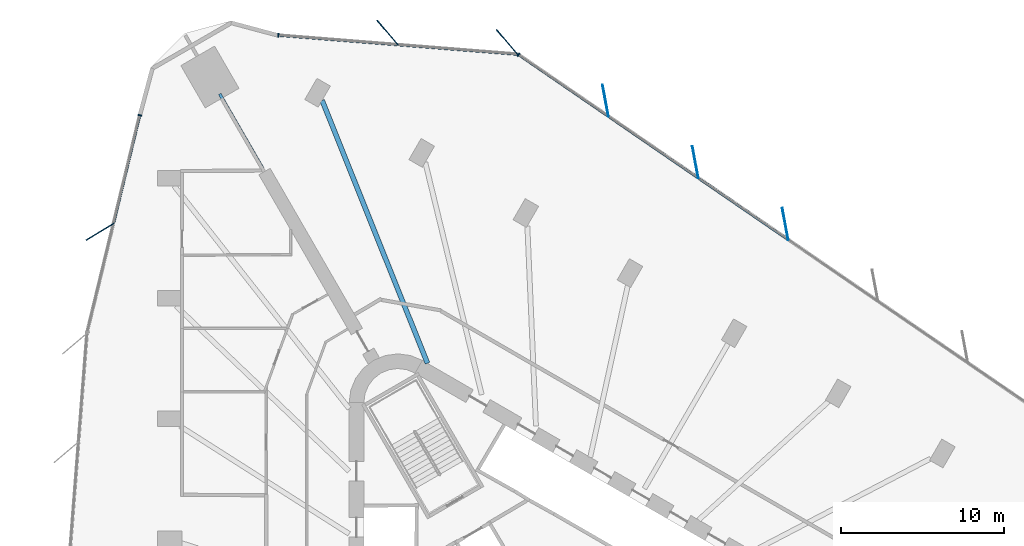
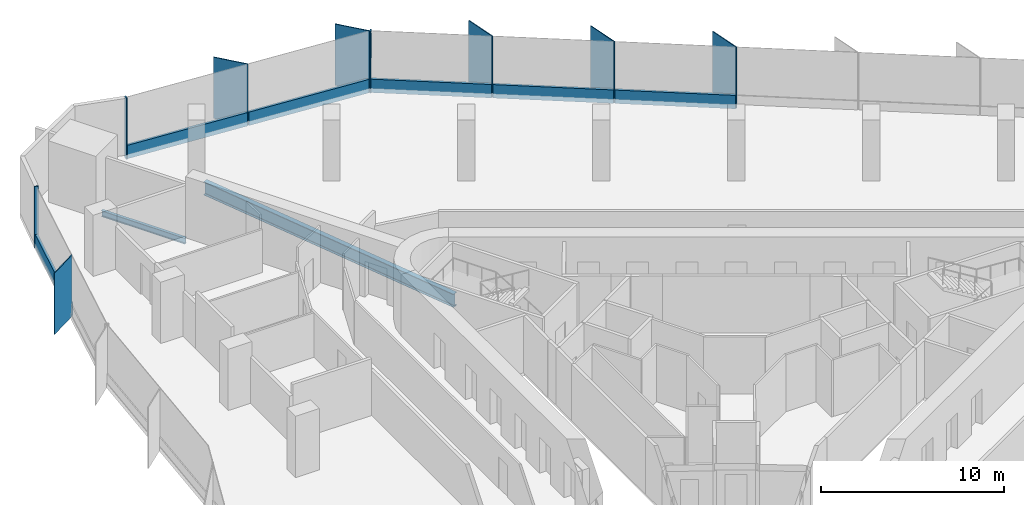
# One storey, part 7 of 14: 15 members, 2 beams, 3 elements without a shape of their own.
"""IFC4 building model written with IfcOpenShell, lengths in metres."""

from ifc_helpers import new_model, si_unit, direction, frame, origin, origin_2d, place, context, subcontext, project, spatial, rectangle, i_section, extrude, material, material_profile, profile_set, type_object, element, aggregate, save


model = new_model("IFC4")

# Units and contexts
model_context = context("Model", 3, precision=1e-05, world=origin(), true_north=direction((0.0, 1.0)))
body_context = subcontext(model_context, "Body", "Model", "MODEL_VIEW")
ifc_project = project(units=[si_unit("LENGTHUNIT", "METRE"), si_unit("AREAUNIT", "SQUARE_METRE"), si_unit("VOLUMEUNIT", "CUBIC_METRE"), si_unit("PLANEANGLEUNIT", "RADIAN"), si_unit("MASSUNIT", "GRAM", prefix="KILO")], contexts=[model_context])

# Site, building, storey
site_placement = place(None, origin())
site = spatial("IfcSite", under=ifc_project, at=site_placement, CompositionType="ELEMENT")
building_placement = place(site_placement, origin())
building = spatial("IfcBuilding", under=site, at=building_placement, Name="Tanit Gate Tower", CompositionType="ELEMENT")
storey_placement = place(building_placement, frame((0.0, 0.0, 82.39990234375)))
storey = spatial("IfcBuildingStorey", under=building, at=storey_placement, Name="L16", CompositionType="ELEMENT", Elevation=82.39990234375)

# Curtain wall, members
ifc_material_1 = material(Name="Aluminium bronze anodised and glass", Category="aluminium")
curtain_wall_type = type_object("IfcCurtainWallType", Name="Curtain wall typical low", PredefinedType="NOTDEFINED", material=ifc_material_1)
curtain_wall_1_placement = place(storey_placement, origin())
curtain_wall_1 = element("IfcCurtainWall", 1, at=curtain_wall_1_placement, inside=storey, type_object=curtain_wall_type, Name="Curtain wall L16 NE2", PredefinedType="NOTDEFINED")
ifc_material_2 = material(Name="Aluminium bronze anodised", Category="aluminium")
ifc_material_profile_1 = material_profile(ifc_material_2, rectangle(XDim=2.0, YDim=0.055908203125, at=origin_2d()), Name="56x2000 bronze fin mullion")
ifc_profile_set_1 = profile_set([ifc_material_profile_1], Name="Aluminium bronze anodised")
member_type_1 = type_object("IfcMemberType", Name="FIN MULLION 56x2000 bronze", PredefinedType="MULLION", material=ifc_profile_set_1)
member_1_placement = place(storey_placement, frame((14.70849609375, 26.742919921875, -0.2998046875), z_axis=(0.0, 0.0, 1.0), x_axis=(0.182983013261, -0.983116074967, 0.0)))
member_1 = element("IfcMember", 2, at=member_1_placement, type_object=member_type_1, Name="Fin mullion L16 NE2.4", PredefinedType="MULLION", context=body_context, shape_type="SweptSolid", body=[
    extrude(rectangle(XDim=2.0, YDim=0.055908203125, at=origin_2d()), origin(), (0.0, 0.0, 1.0), 4.099853515625),
])
member_2_placement = place(storey_placement, frame((9.183837890625, 30.53369140625, -0.2998046875), z_axis=(0.0, 0.0, 1.0), x_axis=(0.182983013261, -0.983116074967, 0.0)))
member_2 = element("IfcMember", 3, at=member_2_placement, type_object=member_type_1, Name="Fin mullion L16 NE2.5", PredefinedType="MULLION", context=body_context, shape_type="SweptSolid", body=[
    extrude(rectangle(XDim=2.0, YDim=0.055908203125, at=origin_2d()), origin(), (0.0, 0.0, 1.0), 4.099853515625),
])
member_3_placement = place(storey_placement, frame((3.6591796875, 34.324462890625, -0.2998046875), z_axis=(0.0, 0.0, 1.0), x_axis=(0.182983013261, -0.983116074967, 0.0)))
member_3 = element("IfcMember", 4, at=member_3_placement, type_object=member_type_1, Name="Fin mullion L16 NE2.6", PredefinedType="MULLION", context=body_context, shape_type="SweptSolid", body=[
    extrude(rectangle(XDim=2.0, YDim=0.055908203125, at=origin_2d()), origin(), (0.0, 0.0, 1.0), 4.099853515625),
])

curtain_wall_2_placement = place(storey_placement, origin())
curtain_wall_2 = element("IfcCurtainWall", 5, at=curtain_wall_2_placement, inside=storey, type_object=curtain_wall_type, Name="Curtain wall L16 NE3", PredefinedType="NOTDEFINED")
member_4_placement = place(storey_placement, frame((-2.393798828125, 37.923828125, -0.2998046875), z_axis=(0.0, 0.0, 1.0), x_axis=(0.649001123073, -0.760787448799, 0.0)))
member_4 = element("IfcMember", 6, at=member_4_placement, type_object=member_type_1, Name="Fin mullion L16 NE3.1", PredefinedType="MULLION", context=body_context, shape_type="SweptSolid", body=[
    extrude(rectangle(XDim=2.0, YDim=0.055908203125, at=origin_2d()), origin(), (0.0, 0.0, 1.0), 4.099853515625),
])
member_5_placement = place(storey_placement, frame((-9.7412109375, 38.506591796875, -0.2998046875), z_axis=(0.0, 0.0, 1.0), x_axis=(0.649001123073, -0.760787448799, 0.0)))
member_5 = element("IfcMember", 7, at=member_5_placement, type_object=member_type_1, Name="Fin mullion L16 NE3.2", PredefinedType="MULLION", context=body_context, shape_type="SweptSolid", body=[
    extrude(rectangle(XDim=2.0, YDim=0.055908203125, at=origin_2d()), origin(), (0.0, 0.0, 1.0), 4.099853515625),
])

# Curtain wall, member
curtain_wall_3_placement = place(storey_placement, origin())
curtain_wall_3 = element("IfcCurtainWall", 8, at=curtain_wall_3_placement, inside=storey, type_object=curtain_wall_type, Name="Curtain wall L16 W1", PredefinedType="NOTDEFINED")
member_6_placement = place(storey_placement, frame((-27.418212890625, 26.267333984375, -0.2998046875), z_axis=(0.0, 0.0, 1.0), x_axis=(0.853805958706, 0.520591379951, 0.0)))
member_6 = element("IfcMember", 9, at=member_6_placement, type_object=member_type_1, Name="Fin mullion L16 W1.2", PredefinedType="MULLION", context=body_context, shape_type="SweptSolid", body=[
    extrude(rectangle(XDim=2.0, YDim=0.055908203125, at=origin_2d()), origin(), (0.0, 0.0, 1.0), 4.099853515625),
])

# Member
ifc_material_3 = material(Name="Aluminium bronze anodised", Category="aluminium")
ifc_material_profile_2 = material_profile(ifc_material_3, rectangle(XDim=0.239990234375, YDim=0.080078125, at=origin_2d()), Name="80x240 bronze mullion")
ifc_profile_set_2 = profile_set([ifc_material_profile_2], Name="Aluminium bronze anodised")
member_type_2 = type_object("IfcMemberType", Name="Mullion 80x240 typical low", PredefinedType="MULLION", material=ifc_profile_set_2)
member_7_placement = place(storey_placement, frame((-1.6865234375, 37.154541015625, -0.2998046875), z_axis=(0.0, 0.0, 1.0), x_axis=(-0.565779513784, -0.824556572821, 0.0)))
member_7 = element("IfcMember", 10, at=member_7_placement, type_object=member_type_2, Name="Mullion L16 NE2.7", PredefinedType="MULLION", context=body_context, shape_type="SweptSolid", body=[
    extrude(rectangle(XDim=0.239990234375, YDim=0.080078125, at=origin_2d()), origin(), (0.0, 0.0, 1.0), 4.099853515625),
])

member_8_placement = place(storey_placement, frame((-16.45458984375, 38.345458984375, -0.2998046875), z_axis=(0.0, 0.0, 1.0), x_axis=(-0.079044868964, -0.99687105921, 0.0)))
member_8 = element("IfcMember", 11, at=member_8_placement, type_object=member_type_2, Name="Mullion L16 NE3.3", PredefinedType="MULLION", context=body_context, shape_type="SweptSolid", body=[
    extrude(rectangle(XDim=0.239990234375, YDim=0.080078125, at=origin_2d()), origin(), (0.0, 0.0, 1.0), 4.099853515625),
])

member_9_placement = place(storey_placement, frame((-24.969970703125, 33.43212890625, -0.2998046875), z_axis=(0.0, 0.0, 1.0), x_axis=(0.971845678209, -0.235618288228, 0.0)))
member_9 = element("IfcMember", 12, at=member_9_placement, type_object=member_type_2, Name="Mullion L16 W1.1", PredefinedType="MULLION", context=body_context, shape_type="SweptSolid", body=[
    extrude(rectangle(XDim=0.239990234375, YDim=0.080078125, at=origin_2d()), origin(), (0.0, 0.0, 1.0), 4.099853515625),
])

# Beams
ifc_material_4 = material(Name="Steel S355", Category="steel")
ifc_material_profile_3 = material_profile(ifc_material_4, i_section(OverallWidth=0.300048828125, OverallDepth=0.889892578125, WebThickness=0.01611328125, FlangeThickness=0.030029296875, FilletRadius=0.030029296875, at=origin_2d()), Name="HEA 900")
ifc_profile_set_3 = profile_set([ifc_material_profile_3], Name="Steel S355")
beam_type_1 = type_object("IfcBeamType", Name="RADIAL GIRDER HEA 900 S355", PredefinedType="BEAM", material=ifc_profile_set_3)
beam_1_placement = place(storey_placement, frame((-13.76220703125, 34.3447265625, -0.744873046875), z_axis=(0.371958649454, -0.928249300078, 0.0), x_axis=(0.928249300078, 0.371958649454, 0.0)))
element("IfcBeam", 13, at=beam_1_placement, inside=storey, type_object=beam_type_1, Name="RADIAL GIRDER", PredefinedType="BEAM", context=body_context, shape_type="SweptSolid", body=[
    extrude(i_section(OverallWidth=0.300048828125, OverallDepth=0.889892578125, WebThickness=0.01611328125, FlangeThickness=0.030029296875, FilletRadius=0.030029296875, at=origin_2d()), origin(), (0.0, 0.0, 1.0), 17.4140625),
])
ifc_material_5 = material(Name="Steel S355", Category="steel")
ifc_material_profile_4 = material_profile(ifc_material_5, i_section(OverallWidth=0.179931640625, OverallDepth=0.39990234375, WebThickness=0.008544921875, FlangeThickness=0.013427734375, FilletRadius=0.02099609375, at=origin_2d()), Name="IPE 400")
ifc_profile_set_4 = profile_set([ifc_material_profile_4], Name="Steel S355")
beam_type_2 = type_object("IfcBeamType", Name="RADIAL GIRDER IPE 400 S355", PredefinedType="BEAM", material=ifc_profile_set_4)
beam_2_placement = place(storey_placement, frame((-20.05810546875, 34.741455078125, -0.5), z_axis=(0.499991120112, -0.86603053053, 0.0), x_axis=(0.86603053053, 0.499991120112, 0.0)))
element("IfcBeam", 14, at=beam_2_placement, inside=storey, type_object=beam_type_2, Name="RADIAL GIRDER", PredefinedType="BEAM", context=body_context, shape_type="SweptSolid", body=[
    extrude(i_section(OverallWidth=0.179931640625, OverallDepth=0.39990234375, WebThickness=0.008544921875, FlangeThickness=0.013427734375, FilletRadius=0.02099609375, at=origin_2d()), origin(), (0.0, 0.0, 1.0), 5.29638671875),
])

# Member
ifc_material_6 = material(Name="Aluminium bronze anodised", Category="aluminium")
ifc_material_profile_5 = material_profile(ifc_material_6, rectangle(XDim=0.159912109375, YDim=0.89990234375, at=origin_2d()), Name="160x900 bronze transom")
ifc_profile_set_5 = profile_set([ifc_material_profile_5], Name="Aluminium bronze anodised")
member_type_3 = type_object("IfcMemberType", Name="Transom 160x900 typical low", PredefinedType="USERDEFINED", material=ifc_profile_set_5)
member_10_placement = place(storey_placement, frame((14.8544921875, 25.8046875, 0.150146484375), z_axis=(-0.824554845388, 0.565782031305, 0.0), x_axis=(-0.565782031305, -0.824554845388, 0.0)))
member_10 = element("IfcMember", 15, at=member_10_placement, type_object=member_type_3, Name="Transom L16 NE2.4", ObjectType="TRANSOM", PredefinedType="USERDEFINED", context=body_context, shape_type="SweptSolid", body=[
    extrude(rectangle(XDim=0.159912109375, YDim=0.89990234375, at=origin_2d()), origin(), (0.0, 0.0, 1.0), 6.6201171875),
])

member_11_placement = place(storey_placement, frame((9.329833984375, 29.595458984375, 0.150146484375), z_axis=(-0.824554845388, 0.565782031305, 0.0), x_axis=(-0.565782031305, -0.824554845388, 0.0)))
member_11 = element("IfcMember", 16, at=member_11_placement, type_object=member_type_3, Name="Transom L16 NE2.5", ObjectType="TRANSOM", PredefinedType="USERDEFINED", context=body_context, shape_type="SweptSolid", body=[
    extrude(rectangle(XDim=0.159912109375, YDim=0.89990234375, at=origin_2d()), origin(), (0.0, 0.0, 1.0), 6.6201171875),
])

member_12_placement = place(storey_placement, frame((3.80517578125, 33.38623046875, 0.150146484375), z_axis=(-0.824554845388, 0.565782031305, 0.0), x_axis=(-0.565782031305, -0.824554845388, 0.0)))
member_12 = element("IfcMember", 17, at=member_12_placement, type_object=member_type_3, Name="Transom L16 NE2.6", ObjectType="TRANSOM", PredefinedType="USERDEFINED", context=body_context, shape_type="SweptSolid", body=[
    extrude(rectangle(XDim=0.159912109375, YDim=0.89990234375, at=origin_2d()), origin(), (0.0, 0.0, 1.0), 6.6201171875),
])

aggregate(curtain_wall_1, [member_1, member_2, member_3, member_7, member_10, member_11, member_12])

member_13_placement = place(storey_placement, frame((-1.79931640625, 37.183349609375, 0.150146484375), z_axis=(-0.996869667106, 0.079062423462, 0.0), x_axis=(-0.079062423462, -0.996869667106, 0.0)))
member_13 = element("IfcMember", 18, at=member_13_placement, type_object=member_type_3, Name="Transom L16 NE3.1", ObjectType="TRANSOM", PredefinedType="USERDEFINED", context=body_context, shape_type="SweptSolid", body=[
    extrude(rectangle(XDim=0.159912109375, YDim=0.89990234375, at=origin_2d()), origin(), (0.0, 0.0, 1.0), 7.29052734375),
])

member_14_placement = place(storey_placement, frame((-9.146728515625, 37.76611328125, 0.150146484375), z_axis=(-0.996872514956, 0.079026507736, 0.0), x_axis=(-0.079026507736, -0.996872514956, 0.0)))
member_14 = element("IfcMember", 19, at=member_14_placement, type_object=member_type_3, Name="Transom L16 NE3.2", ObjectType="TRANSOM", PredefinedType="USERDEFINED", context=body_context, shape_type="SweptSolid", body=[
    extrude(rectangle(XDim=0.159912109375, YDim=0.89990234375, at=origin_2d()), origin(), (0.0, 0.0, 1.0), 7.290771484375),
])

aggregate(curtain_wall_2, [member_4, member_5, member_8, member_13, member_14])

member_15_placement = place(storey_placement, frame((-24.979248046875, 33.39306640625, 0.150146484375), z_axis=(-0.235638221576, -0.971840845269, 0.0), x_axis=(0.971840845269, -0.235638221576, 0.0)))
member_15 = element("IfcMember", 20, at=member_15_placement, type_object=member_type_3, Name="Transom L16 W1.1", ObjectType="TRANSOM", PredefinedType="USERDEFINED", context=body_context, shape_type="SweptSolid", body=[
    extrude(rectangle(XDim=0.159912109375, YDim=0.89990234375, at=origin_2d()), origin(), (0.0, 0.0, 1.0), 6.768798828125),
])

aggregate(curtain_wall_3, [member_9, member_6, member_15])

save(model, "model.ifc")
